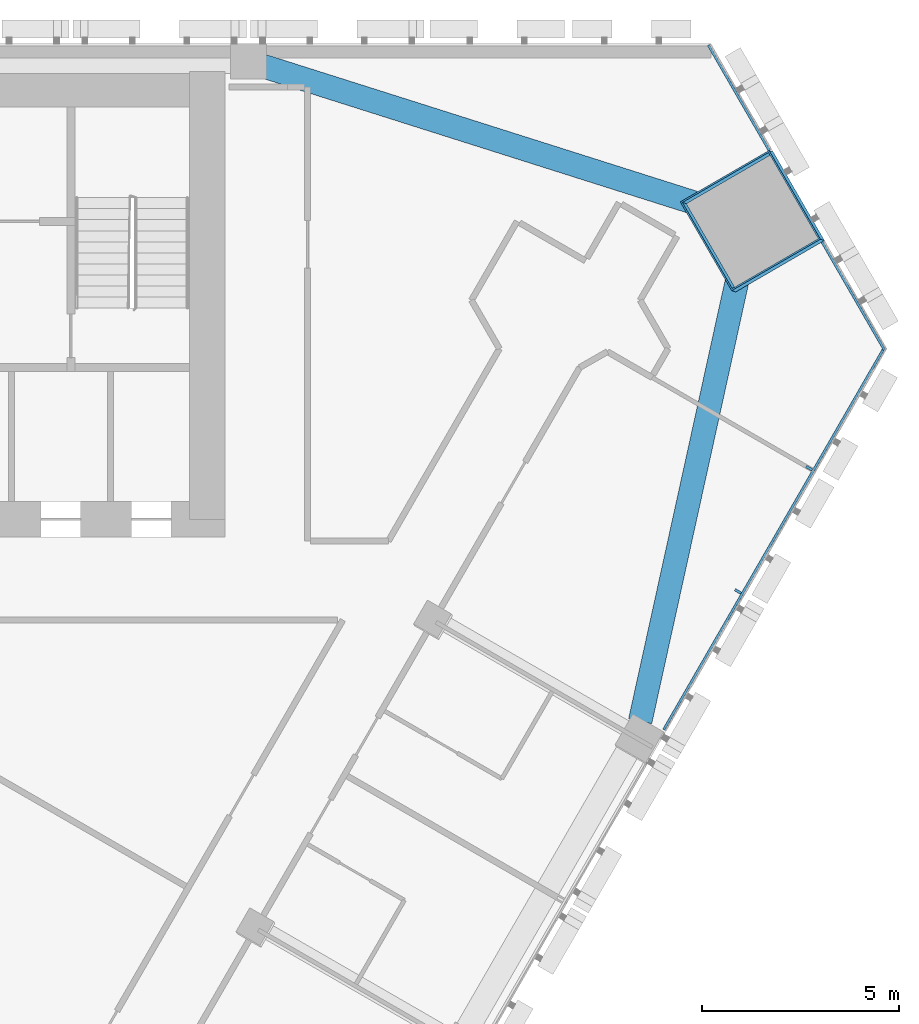
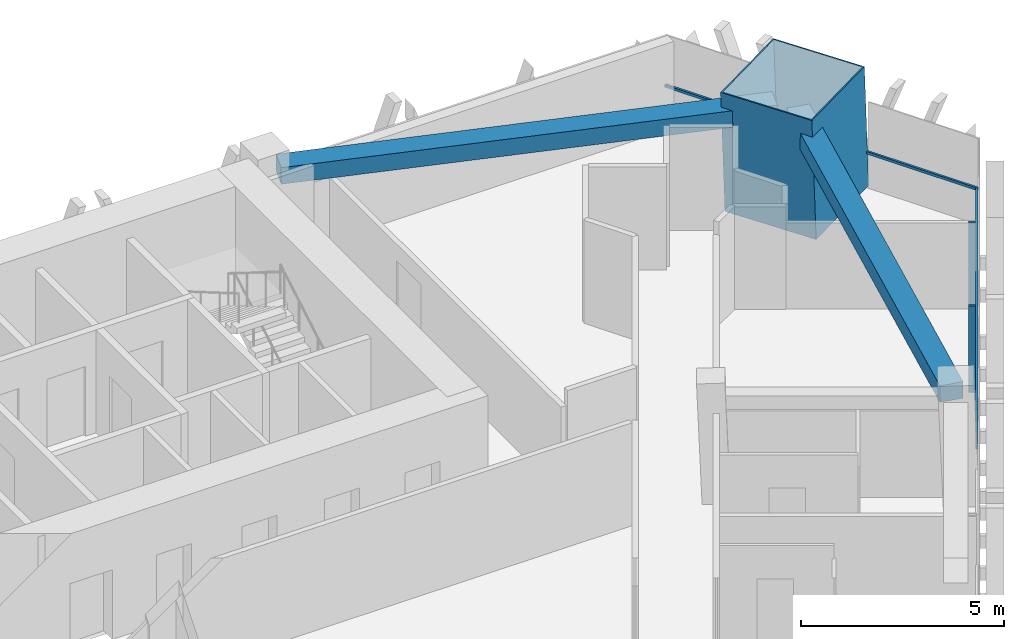
# One storey, part 7 of 16: 6 members, 2 beams, 2 elements without a shape of their own.
"""IFC4 building model written with IfcOpenShell, lengths in metres."""

import ifcopenshell
import ifcopenshell.guid

model = None  # the IFC model being written
_history = None  # IfcOwnerHistory: only IFC2X3 demands one
_inside = {}  # id of a spatial element -> (the spatial element, [elements in it])
_under = {}  # id of a project, library or spatial element -> (it, [spatial elements below it])
_declared = {}  # id of a project -> (the project, [libraries it declares])
_typed = {}  # id of a type object -> (the type object, [elements of that type])
_made_of = {}  # id of a material, layer set ... -> (it, [elements and type objects made of it])


def new_model(schema):
    """Start an empty IFC model of exactly this schema.

    Asked for "IFC4X3", IfcOpenShell would pick the latest addendum, in which some entities
    have other attributes; the version numbers below select the first issue.
    IFC2X3 requires an IfcOwnerHistory on every rooted entity: one is made here for all.
    """
    global model, _history
    if schema == "IFC4X3":
        model = ifcopenshell.file(schema_version=(4, 3, 0, 0))
    else:
        model = ifcopenshell.file(schema=schema)
    _inside.clear()
    _under.clear()
    _declared.clear()
    _typed.clear()
    _made_of.clear()
    _history = None
    if model.schema == "IFC2X3":
        org = make("IfcOrganization", Name="unknown")
        user = make(
            "IfcPersonAndOrganization",
            ThePerson=make("IfcPerson", FamilyName="unknown"),
            TheOrganization=org,
        )
        app = make(
            "IfcApplication",
            ApplicationDeveloper=org,
            Version="unknown",
            ApplicationFullName="unknown",
            ApplicationIdentifier="unknown",
        )
        _history = make(
            "IfcOwnerHistory",
            OwningUser=user,
            OwningApplication=app,
            ChangeAction="ADDED",
            CreationDate=0,
        )
    return model


def make(cls, **values):
    """One entity of the class cls with the attributes given. An attribute that is None is left unset."""
    return model.create_entity(
        cls, **{name: value for name, value in values.items() if value is not None}
    )


def rooted(cls, **values):
    """An entity with a GlobalId (a new one), such as an element, a storey or a relation."""
    return make(cls, GlobalId=ifcopenshell.guid.new(), OwnerHistory=_history, **values)


def si_unit(unit_type, name, prefix=None):
    """IfcSIUnit, for example si_unit("LENGTHUNIT", "METRE", prefix="MILLI")."""
    return make("IfcSIUnit", UnitType=unit_type, Prefix=prefix, Name=name)


def assignment(units):
    """IfcUnitAssignment: the units of a project."""
    return None if units is None else make("IfcUnitAssignment", Units=units)


def point(xyz):
    """IfcCartesianPoint."""
    return None if xyz is None else make("IfcCartesianPoint", Coordinates=xyz)


def direction(xyz):
    """IfcDirection."""
    return None if xyz is None else make("IfcDirection", DirectionRatios=xyz)


def frame(location, z_axis=None, x_axis=None):
    """IfcAxis2Placement3D, a coordinate frame: its origin and axes. An axis left out is left unset."""
    return make(
        "IfcAxis2Placement3D",
        Location=point(location),
        Axis=direction(z_axis),
        RefDirection=direction(x_axis),
    )


def frame_2d(location, x_axis=None):
    """IfcAxis2Placement2D, a coordinate frame in the plane: its origin and x axis."""
    return make(
        "IfcAxis2Placement2D", Location=point(location), RefDirection=direction(x_axis)
    )


def origin():
    """The frame at (0, 0, 0) with its axes left unset."""
    return frame((0.0, 0.0, 0.0))


def origin_2d():
    """The frame at (0, 0) in the plane with its x axis left unset."""
    return frame_2d((0.0, 0.0))


def place(relative_to, where):
    """IfcLocalPlacement: puts the frame where relative to a parent placement (None: the world)."""
    return make(
        "IfcLocalPlacement", PlacementRelTo=relative_to, RelativePlacement=where
    )


def context(
    kind, dimensions, precision=None, world=None, true_north=None, identifier=None
):
    """IfcGeometricRepresentationContext, for example the 3D "Model" context."""
    return make(
        "IfcGeometricRepresentationContext",
        ContextIdentifier=identifier,
        ContextType=kind,
        CoordinateSpaceDimension=dimensions,
        Precision=precision,
        WorldCoordinateSystem=world,
        TrueNorth=true_north,
    )


def subcontext(parent, identifier, kind, view, scale=None):
    """IfcGeometricRepresentationSubContext, for example "Body" below "Model"."""
    return make(
        "IfcGeometricRepresentationSubContext",
        ContextIdentifier=identifier,
        ContextType=kind,
        ParentContext=parent,
        TargetScale=scale,
        TargetView=view,
    )


def project(units=None, contexts=None):
    """IfcProject with its units and contexts."""
    return rooted(
        "IfcProject",
        Name="project",
        RepresentationContexts=contexts,
        UnitsInContext=assignment(units),
    )


def spatial(cls, under=None, at=None, **own):
    """A site, building, storey or space (cls), placed at a placement, below another one or the project."""
    s = rooted(cls, ObjectPlacement=at, **own)
    if under is not None:
        _under.setdefault(under.id(), (under, []))[1].append(s)
    return s


def profile(cls, at=None, kind="AREA", **sizes):
    """A parametric profile (cls). Its sizes go by their IFC names, for example OverallWidth=200.0."""
    return make(cls, ProfileType=kind, Position=at, **sizes)


def rectangle(**sizes):
    """IfcRectangleProfileDef."""
    return profile("IfcRectangleProfileDef", **sizes)


def hollow_rectangle(**sizes):
    """IfcRectangleHollowProfileDef."""
    return profile("IfcRectangleHollowProfileDef", **sizes)


def extrude(swept, where, along, depth):
    """IfcExtrudedAreaSolid: the profile swept, set in the frame where, extruded along a direction by depth."""
    return make(
        "IfcExtrudedAreaSolid",
        SweptArea=swept,
        Position=where,
        ExtrudedDirection=direction(along),
        Depth=depth,
    )


def shape(context_of_items, identifier, shape_type, items):
    """IfcShapeRepresentation: the items that make up one representation, for example the "Body"."""
    return make(
        "IfcShapeRepresentation",
        ContextOfItems=context_of_items,
        RepresentationIdentifier=identifier,
        RepresentationType=shape_type,
        Items=items,
    )


def material(Name=None, Category=None):
    """IfcMaterial."""
    return make("IfcMaterial", Name=Name, Category=Category)


def layer(
    of_material, thickness, ventilated=None, Name=None, Category=None, Priority=None
):
    """IfcMaterialLayer: one layer of a wall or slab, of a material (None: an air gap)."""
    return make(
        "IfcMaterialLayer",
        Material=of_material,
        LayerThickness=thickness,
        IsVentilated=ventilated,
        Name=Name,
        Category=Category,
        Priority=Priority,
    )


def layer_set(layers, Name=None):
    """IfcMaterialLayerSet."""
    return make("IfcMaterialLayerSet", MaterialLayers=layers, LayerSetName=Name)


def material_profile(
    of_material, cross_section, Name=None, Category=None, Priority=None
):
    """IfcMaterialProfile: a cross section and its material."""
    return make(
        "IfcMaterialProfile",
        Name=Name,
        Material=of_material,
        Profile=cross_section,
        Priority=Priority,
        Category=Category,
    )


def profile_set(profiles, Name=None, composite=None):
    """IfcMaterialProfileSet."""
    return make(
        "IfcMaterialProfileSet",
        Name=Name,
        MaterialProfiles=profiles,
        CompositeProfile=composite,
    )


def made_of(thing, what):
    """Note that an element or type object is made of a material, layer set ...; save() writes the relation."""
    if what is not None:
        _made_of.setdefault(what.id(), (what, []))[1].append(thing)
    return thing


def type_object(cls, material=None, **own):
    """A type object (cls), such as IfcWallType, which elements share."""
    return made_of(rooted(cls, **own), material)


def element(
    cls,
    number,
    at=None,
    inside=None,
    cuts=None,
    type_object=None,
    material=None,
    context=None,
    identifier="Body",
    shape_type=None,
    held_by="IfcProductDefinitionShape",
    body=None,
    shapes=None,
    **own,
):
    """One element of the class cls, such as IfcWall. Its Tag is "e" and its number.

    at: its placement. inside: the storey or other place that contains it. cuts: it is an
    opening in that element (IfcRelVoidsElement). A single representation is given by context,
    identifier, shape_type and body (its items); several are given by shapes. held_by: the class
    of the entity that holds the representations. save() writes the other relations.
    """
    e = rooted(cls, Tag="e%d" % number, ObjectPlacement=at, **own)
    if body is not None:
        shapes = [shape(context, identifier, shape_type, body)]
    if shapes is not None:
        e.Representation = make(held_by, Representations=shapes)
    if inside is not None:
        _inside.setdefault(inside.id(), (inside, []))[1].append(e)
    if cuts is not None:
        rooted(
            "IfcRelVoidsElement", RelatingBuildingElement=cuts, RelatedOpeningElement=e
        )
    if type_object is not None:
        _typed.setdefault(type_object.id(), (type_object, []))[1].append(e)
    return made_of(e, material)


def aggregate(whole, parts):
    """IfcRelAggregates: a whole, such as a stair, and the parts it consists of."""
    return rooted("IfcRelAggregates", RelatingObject=whole, RelatedObjects=parts)


def save(model, path):
    """Write the relations noted so far, then the file.

    IfcRelAggregates (storeys below a building ...), IfcRelContainedInSpatialStructure (elements
    in a storey), IfcRelDefinesByType, IfcRelAssociatesMaterial and IfcRelDeclares: one each for
    every whole, place, type object, material and project.
    """
    for whole, parts in _under.values():
        aggregate(whole, parts)
    for where, things in _inside.values():
        rooted(
            "IfcRelContainedInSpatialStructure",
            RelatedElements=things,
            RelatingStructure=where,
        )
    for kind, things in _typed.values():
        rooted("IfcRelDefinesByType", RelatedObjects=things, RelatingType=kind)
    for what, things in _made_of.values():
        rooted("IfcRelAssociatesMaterial", RelatedObjects=things, RelatingMaterial=what)
    for by, libraries in _declared.values():
        rooted("IfcRelDeclares", RelatingContext=by, RelatedDefinitions=libraries)
    model.write(path)


model = new_model("IFC4")

# Units and contexts
model_context = context("Model", 3, precision=1e-05, world=origin(), true_north=direction((0.0, 1.0)))
body_context = subcontext(model_context, "Body", "Model", "MODEL_VIEW")
ifc_project = project(units=[si_unit("LENGTHUNIT", "METRE"), si_unit("AREAUNIT", "SQUARE_METRE"), si_unit("VOLUMEUNIT", "CUBIC_METRE"), si_unit("PLANEANGLEUNIT", "RADIAN"), si_unit("MASSUNIT", "GRAM", prefix="KILO")], contexts=[model_context])

# Site, building, storey
site_placement = place(None, origin())
site = spatial("IfcSite", under=ifc_project, at=site_placement, CompositionType="ELEMENT")
building_placement = place(site_placement, origin())
building = spatial("IfcBuilding", under=site, at=building_placement, Name="Altiplano Prism Tower", CompositionType="ELEMENT")
storey_placement = place(building_placement, frame((0.0, 0.0, 77.39990234375)))
storey = spatial("IfcBuildingStorey", under=building, at=storey_placement, Name="L19", CompositionType="ELEMENT", Elevation=77.39990234375)

# Curtain wall, members
ifc_material_1 = material(Name="Aluminium and glass", Category="aluminium")
ifc_layer = layer(ifc_material_1, 0.280029296875)
ifc_layer_set = layer_set([ifc_layer], Name="Aluminium and glass")
curtain_wall_type = type_object("IfcCurtainWallType", Name="CW1 typical co-living unitised curtain wall", PredefinedType="NOTDEFINED", material=ifc_layer_set)
curtain_wall_1_placement = place(storey_placement, origin())
curtain_wall_1 = element("IfcCurtainWall", 1, at=curtain_wall_1_placement, inside=storey, type_object=curtain_wall_type, Name="CW1 curtain wall south-east face L19", PredefinedType="NOTDEFINED")
ifc_material_2 = material(Name="Aluminium", Category="aluminium")
ifc_material_profile_1 = material_profile(ifc_material_2, rectangle(XDim=0.179931640625, YDim=0.06494140625, at=origin_2d()), Name="CW1 mullion 65 x 180")
ifc_profile_set_1 = profile_set([ifc_material_profile_1], Name="Aluminium")
member_type_1 = type_object("IfcMemberType", Name="CW1 mullion 65 x 180", PredefinedType="MULLION", material=ifc_profile_set_1)
member_1_placement = place(storey_placement, frame((110.902099609375, 91.123046875, 0.0), z_axis=(0.0, 0.0, 1.0), x_axis=(-0.866025401193, 0.500000004489, 0.0)))
member_1 = element("IfcMember", 2, at=member_1_placement, type_object=member_type_1, Name="CW1 mullion", PredefinedType="MULLION", context=body_context, shape_type="SweptSolid", body=[
    extrude(rectangle(XDim=0.179931640625, YDim=0.06494140625, at=origin_2d()), origin(), (0.0, 0.0, 1.0), 2.60009765625),
])
member_2_placement = place(storey_placement, frame((112.704833984375, 94.24560546875, 0.0), z_axis=(0.0, 0.0, 1.0), x_axis=(-0.866025401193, 0.500000004489, 0.0)))
member_2 = element("IfcMember", 3, at=member_2_placement, type_object=member_type_1, Name="CW1 mullion", PredefinedType="MULLION", context=body_context, shape_type="SweptSolid", body=[
    extrude(rectangle(XDim=0.179931640625, YDim=0.06494140625, at=origin_2d()), origin(), (0.0, 0.0, 1.0), 2.60009765625),
])
ifc_material_profile_2 = material_profile(ifc_material_2, rectangle(XDim=0.06005859375, YDim=0.080078125, at=origin_2d()), Name="CW1 transom 80 x 60")
ifc_profile_set_2 = profile_set([ifc_material_profile_2], Name="Aluminium")
member_type_2 = type_object("IfcMemberType", Name="CW1 transom 80 x 60", PredefinedType="USERDEFINED", material=ifc_profile_set_2)
member_3_placement = place(storey_placement, frame((109.020751953125, 87.62451171875, 1.10009765625), z_axis=(0.500009109414, 0.866020144398, 0.0), x_axis=(-0.866020144398, 0.500009109414, 0.0)))
member_3 = element("IfcMember", 4, at=member_3_placement, type_object=member_type_2, Name="CW1 transom", ObjectType="TRANSOM", PredefinedType="USERDEFINED", context=body_context, shape_type="SweptSolid", body=[
    extrude(rectangle(XDim=0.06005859375, YDim=0.080078125, at=origin_2d()), origin(), (0.0, 0.0, 1.0), 11.181396484375),
])
aggregate(curtain_wall_1, [member_1, member_2, member_3])

curtain_wall_2_placement = place(storey_placement, origin())
curtain_wall_2 = element("IfcCurtainWall", 5, at=curtain_wall_2_placement, inside=storey, type_object=curtain_wall_type, Name="CW1 curtain wall north-east chamfer L19", PredefinedType="NOTDEFINED")
member_4_placement = place(storey_placement, frame((114.611572265625, 97.238037109375, 1.10009765625), z_axis=(-0.500009930168, 0.866019670524, 0.0), x_axis=(-0.866019670524, -0.500009930168, 0.0)))
member_4 = element("IfcMember", 6, at=member_4_placement, type_object=member_type_2, Name="CW1 transom", ObjectType="TRANSOM", PredefinedType="USERDEFINED", context=body_context, shape_type="SweptSolid", body=[
    extrude(rectangle(XDim=0.06005859375, YDim=0.080078125, at=origin_2d()), origin(), (0.0, 0.0, 1.0), 3.1611328125),
])
member_5_placement = place(storey_placement, frame((111.69091796875, 102.296630859375, 1.10009765625), z_axis=(-0.499973944738, 0.866040446274, 0.0), x_axis=(-0.866040446274, -0.499973944738, 0.0)))
member_5 = element("IfcMember", 7, at=member_5_placement, type_object=member_type_2, Name="CW1 transom", ObjectType="TRANSOM", PredefinedType="USERDEFINED", context=body_context, shape_type="SweptSolid", body=[
    extrude(rectangle(XDim=0.06005859375, YDim=0.080078125, at=origin_2d()), origin(), (0.0, 0.0, 1.0), 3.081298828125),
])
aggregate(curtain_wall_2, [member_4, member_5])

# Beams
ifc_material_3 = material(Name="Concrete C60/75", Category="concrete")
ifc_material_profile_3 = material_profile(ifc_material_3, rectangle(XDim=0.60009765625, YDim=0.5, at=origin_2d()), Name="Edge beam 600x500")
ifc_profile_set_3 = profile_set([ifc_material_profile_3], Name="Concrete C60/75")
beam_type = type_object("IfcBeamType", Name="Edge beam 600x500", PredefinedType="SPANDREL", material=ifc_profile_set_3)
beam_1_placement = place(storey_placement, frame((108.422607421875, 87.83837890625, 2.85009765625), z_axis=(0.214927547365, 0.976629996152, 0.0), x_axis=(-0.976629996152, 0.214927547365, 0.0)))
element("IfcBeam", 8, at=beam_1_placement, inside=storey, type_object=beam_type, Name="Edge beam P24-M2 L20", PredefinedType="SPANDREL", context=body_context, shape_type="SweptSolid", body=[
    extrude(rectangle(XDim=0.60009765625, YDim=0.5, at=origin_2d()), origin(), (0.0, 0.0, 1.0), 12.534912109375),
])
beam_2_placement = place(storey_placement, frame((110.784423828125, 100.65576171875, 2.85009765625), z_axis=(-0.953248565489, 0.302187313423, 0.0), x_axis=(-0.302187313423, -0.953248565489, 0.0)))
element("IfcBeam", 9, at=beam_2_placement, inside=storey, type_object=beam_type, Name="Edge beam M2-P01 L20", PredefinedType="SPANDREL", context=body_context, shape_type="SweptSolid", body=[
    extrude(rectangle(XDim=0.60009765625, YDim=0.5, at=origin_2d()), origin(), (0.0, 0.0, 1.0), 12.53466796875),
])

# Member
ifc_material_4 = material(Name="Steel S460", Category="steel")
ifc_material_profile_4 = material_profile(ifc_material_4, hollow_rectangle(XDim=2.60009765625, YDim=2.60009765625, WallThickness=0.0400390625, at=origin_2d()), Name="Mega column tube 2600")
ifc_profile_set_4 = profile_set([ifc_material_profile_4], Name="Steel S460")
member_type_3 = type_object("IfcMemberType", Name="Mega column tube 2600", PredefinedType="POST", material=ifc_profile_set_4)
member_6_placement = place(storey_placement, frame((111.315673828125, 100.486572265625, 0.0), z_axis=(-0.028401814599, 0.009218727412, 0.999554076572), x_axis=(0.500757470484, -0.865302665043, 0.022209313887)))
element("IfcMember", 10, at=member_6_placement, inside=storey, type_object=member_type_3, Name="Mega column tube M2 L19", PredefinedType="POST", context=body_context, shape_type="SweptSolid", body=[
    extrude(hollow_rectangle(XDim=2.60009765625, YDim=2.60009765625, WallThickness=0.0400390625, at=origin_2d()), origin(), (0.0, 0.0, 1.0), 3.601806640625),
])

save(model, "model.ifc")
